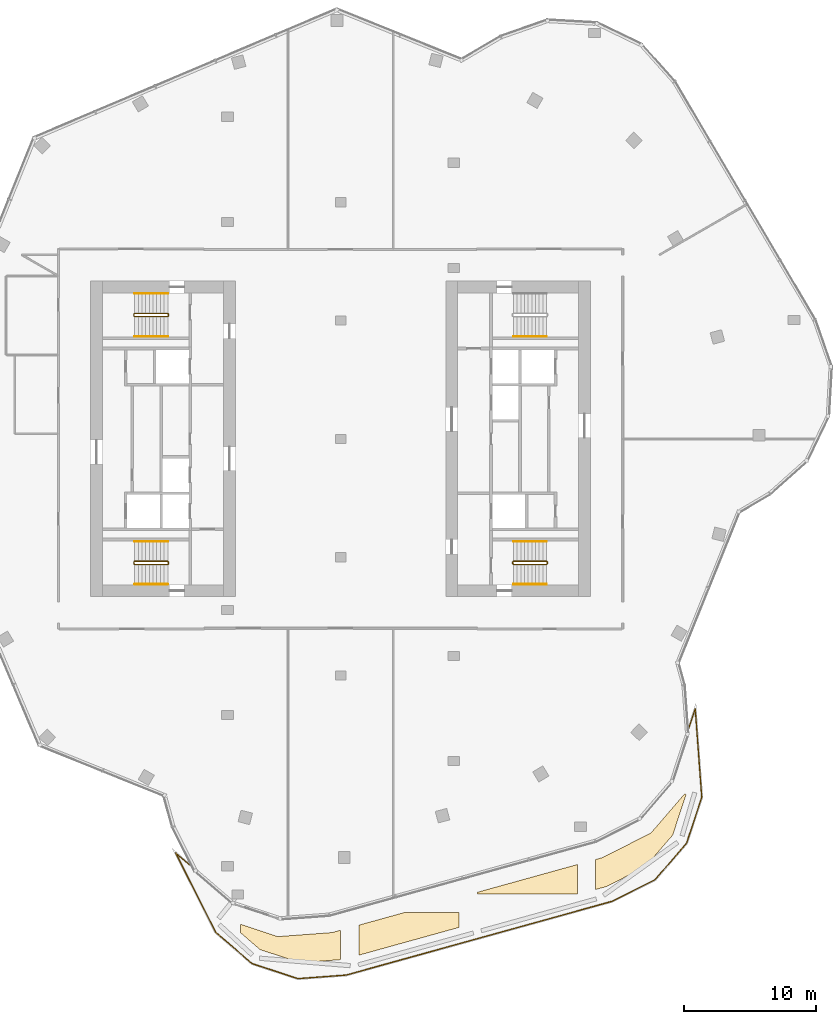
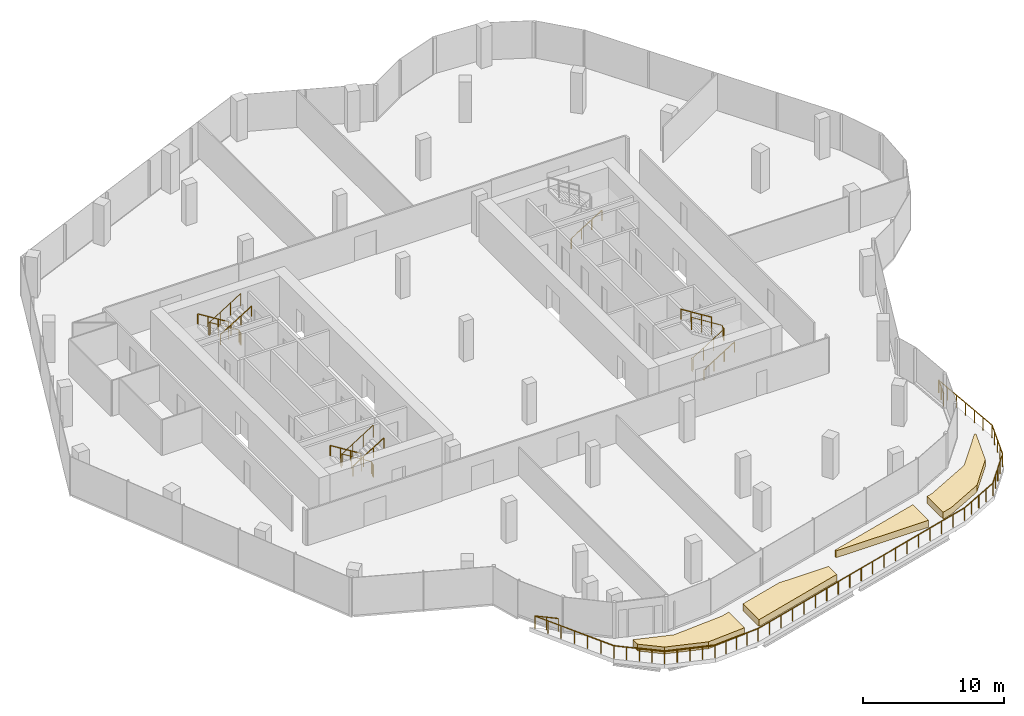
# One storey, part 15 of 16: 11 railings, 4 coverings.
"""IFC4 building model written with IfcOpenShell, lengths in metres."""

from ifc_helpers import new_model, si_unit, direction, frame, origin, origin_2d, place, context, subcontext, project, spatial, polyline, circle, outline, extrude, material, layer, layer_set, type_object, element, save


model = new_model("IFC4")

# Units and contexts
model_context = context("Model", 3, precision=1e-05, world=origin(), true_north=direction((0.0, 1.0)))
body_context = subcontext(model_context, "Body", "Model", "MODEL_VIEW")
ifc_project = project(units=[si_unit("LENGTHUNIT", "METRE"), si_unit("AREAUNIT", "SQUARE_METRE"), si_unit("VOLUMEUNIT", "CUBIC_METRE"), si_unit("PLANEANGLEUNIT", "RADIAN"), si_unit("MASSUNIT", "GRAM", prefix="KILO")], contexts=[model_context])

# Site, building, storey
site_placement = place(None, origin())
site = spatial("IfcSite", under=ifc_project, at=site_placement, CompositionType="ELEMENT")
building_placement = place(site_placement, origin())
building = spatial("IfcBuilding", under=site, at=building_placement, Name="Orlundy Tower", CompositionType="ELEMENT")
storey_placement = place(building_placement, frame((0.0, 0.0, 292.89990234375)))
storey = spatial("IfcBuildingStorey", under=building, at=storey_placement, Name="L78", CompositionType="ELEMENT", Elevation=292.89990234375)

# Coverings
ifc_material_1 = material(Name="Planted soil in precast concrete trough", Category="concrete")
ifc_layer = layer(ifc_material_1, 0.60009765625)
ifc_layer_set = layer_set([ifc_layer], Name="PLANTER box")
covering_type = type_object("IfcCoveringType", Name="PLANTER box", PredefinedType="USERDEFINED", material=ifc_layer_set)
covering_1_placement = place(storey_placement, origin())
element("IfcCovering", 1, at=covering_1_placement, inside=storey, type_object=covering_type, Name="PLANTER L78-00", ObjectType="PLANTER", PredefinedType="USERDEFINED", context=body_context, shape_type="SweptSolid", body=[
    extrude(outline(polyline([(-3.096923828125, -39.827880859375), (-6.1259765625, -38.8291015625), (-7.60009765625, -37.55908203125), (-7.60009765625, -36.9140625), (-4.781005859375, -37.843994140625), (-0.638916015625, -37.535888671875), (0.0, -37.35888671875), (0.0, -39.597900390625), (-3.096923828125, -39.827880859375)])), origin(), (0.0, 0.0, 1.0), 0.60009765625),
])
covering_2_placement = place(storey_placement, origin())
element("IfcCovering", 2, at=covering_2_placement, inside=storey, type_object=covering_type, Name="PLANTER L78-01", ObjectType="PLANTER", PredefinedType="USERDEFINED", context=body_context, shape_type="SweptSolid", body=[
    extrude(outline(polyline([(1.39990234375, -39.2529296875), (1.39990234375, -36.970947265625), (4.89892578125, -36.0), (9.0, -36.0), (9.0, -37.14501953125), (1.39990234375, -39.2529296875)])), origin(), (0.0, 0.0, 1.0), 0.60009765625),
])
covering_3_placement = place(storey_placement, origin())
element("IfcCovering", 3, at=covering_3_placement, inside=storey, type_object=covering_type, Name="PLANTER L78-02", ObjectType="PLANTER", PredefinedType="USERDEFINED", context=body_context, shape_type="SweptSolid", body=[
    extrude(outline(polyline([(18.0, -32.366943359375), (18.0, -34.60009765625), (10.39990234375, -34.60009765625), (10.39990234375, -34.47412109375), (18.0, -32.366943359375)])), origin(), (0.0, 0.0, 1.0), 0.60009765625),
])
covering_4_placement = place(storey_placement, origin())
element("IfcCovering", 4, at=covering_4_placement, inside=storey, type_object=covering_type, Name="PLANTER L78-03", ObjectType="PLANTER", PredefinedType="USERDEFINED", context=body_context, shape_type="SweptSolid", body=[
    extrude(outline(polyline([(25.25, -30.1279296875), (23.16796875, -32.5439453125), (20.202880859375, -34.0380859375), (19.39990234375, -34.260986328125), (19.39990234375, -31.97802734375), (19.881103515625, -31.844970703125), (23.590087890625, -29.97607421875), (26.154052734375, -27.0), (26.241943359375, -27.0), (26.2490234375, -27.09912109375), (25.25, -30.1279296875)])), origin(), (0.0, 0.0, 1.0), 0.60009765625),
])

# Railings
ifc_material_2 = material(Name="Steel balustrade", Category="steel")
railing_type_1 = type_object("IfcRailingType", Name="Stair Guard 1100", PredefinedType="GUARDRAIL", material=ifc_material_2)
railing_1_placement = place(storey_placement, frame((-13.090087890625, 9.5, 0.0)))
element("IfcRailing", 5, at=railing_1_placement, inside=storey, type_object=railing_type_1, Name="L78 ST-W1 stair guard 1", PredefinedType="GUARDRAIL", context=body_context, shape_type="SweptSolid", body=[
    extrude(circle(Radius=0.02392578125, at=origin_2d()), frame((0.0, 0.0, 1.076171875), z_axis=(0.0, -1.0, 0.0), x_axis=(1.0, 0.0, 0.0)), (0.0, 0.0, 1.0), 0.14990234375),
    extrude(circle(Radius=0.02392578125, at=origin_2d()), frame((0.0, -0.14990234375, 1.076171875), z_axis=(-0.18420542264, 0.739530593833, 0.647427882513), x_axis=(-0.970351222016, -0.241699205484, 0.0)), (0.0, 0.0, 1.0), 0.270263671875),
    extrude(circle(Radius=0.02392578125, at=origin_2d()), frame((-0.0498046875, 0.050048828125, 1.2509765625), z_axis=(-0.848007534815, 0.0, 0.529984170421), x_axis=(0.0, -1.0, 0.0)), (0.0, 0.0, 1.0), 2.9716796875),
    extrude(circle(Radius=0.02392578125, at=origin_2d()), frame((-2.56982421875, 0.050048828125, 2.826171875), z_axis=(-0.707106781187, -0.707106781187, 0.0), x_axis=(0.707106781187, -0.707106781187, 0.0)), (0.0, 0.0, 1.0), 0.07080078125),
    extrude(circle(Radius=0.02392578125, at=origin_2d()), frame((-2.619873046875, 0.0, 2.826171875), z_axis=(0.0, -1.0, 0.0), x_axis=(1.0, 0.0, 0.0)), (0.0, 0.0, 1.0), 0.14990234375),
    extrude(circle(Radius=0.02392578125, at=origin_2d()), frame((-2.619873046875, -0.14990234375, 2.826171875), z_axis=(0.265065253269, -0.265065253269, 0.927081885822), x_axis=(0.707106781187, 0.707106781187, 0.0)), (0.0, 0.0, 1.0), 0.188720703125),
    extrude(circle(Radius=0.02392578125, at=origin_2d()), frame((-2.56982421875, -0.199951171875, 3.0009765625), z_axis=(0.848007534815, 0.0, 0.529984170421), x_axis=(0.0, 1.0, 0.0)), (0.0, 0.0, 1.0), 2.9716796875),
    extrude(circle(Radius=0.02099609375, at=origin_2d()), origin(), (0.0, 0.0, 1.0), 1.052001953125),
    extrude(circle(Radius=0.02099609375, at=origin_2d()), frame((0.0, -0.14990234375, 0.0)), (0.0, 0.0, 1.0), 1.052001953125),
    extrude(circle(Radius=0.02099609375, at=origin_2d()), frame((-0.0498046875, 0.050048828125, 0.175048828125)), (0.0, 0.0, 1.0), 1.052001953125),
    extrude(circle(Radius=0.02099609375, at=origin_2d()), frame((-0.889892578125, 0.050048828125, 0.699951171875)), (0.0, 0.0, 1.0), 1.052001953125),
    extrude(circle(Radius=0.02099609375, at=origin_2d()), frame((-1.729736328125, 0.050048828125, 1.22509765625)), (0.0, 0.0, 1.0), 1.052001953125),
    extrude(circle(Radius=0.02099609375, at=origin_2d()), frame((-2.56982421875, 0.050048828125, 1.75)), (0.0, 0.0, 1.0), 1.052001953125),
    extrude(circle(Radius=0.02099609375, at=origin_2d()), frame((-2.619873046875, 0.0, 1.75)), (0.0, 0.0, 1.0), 1.052001953125),
    extrude(circle(Radius=0.02099609375, at=origin_2d()), frame((-2.619873046875, -0.14990234375, 1.75)), (0.0, 0.0, 1.0), 1.052001953125),
    extrude(circle(Radius=0.02099609375, at=origin_2d()), frame((-2.56982421875, -0.199951171875, 1.925048828125)), (0.0, 0.0, 1.0), 1.052001953125),
    extrude(circle(Radius=0.02099609375, at=origin_2d()), frame((-1.729736328125, -0.199951171875, 2.449951171875)), (0.0, 0.0, 1.0), 1.052001953125),
    extrude(circle(Radius=0.02099609375, at=origin_2d()), frame((-0.889892578125, -0.199951171875, 2.97509765625)), (0.0, 0.0, 1.0), 1.052001953125),
    extrude(circle(Radius=0.02099609375, at=origin_2d()), frame((-0.0498046875, -0.199951171875, 3.5)), (0.0, 0.0, 1.0), 1.052001953125),
])
railing_2_placement = place(storey_placement, frame((-13.090087890625, -9.35009765625, 0.0)))
element("IfcRailing", 6, at=railing_2_placement, inside=storey, type_object=railing_type_1, Name="L78 ST-W2 stair guard 1", PredefinedType="GUARDRAIL", context=body_context, shape_type="SweptSolid", body=[
    extrude(circle(Radius=0.02392578125, at=origin_2d()), frame((0.0, 0.0, 1.076171875), z_axis=(0.0, -1.0, 0.0), x_axis=(1.0, 0.0, 0.0)), (0.0, 0.0, 1.0), 0.14990234375),
    extrude(circle(Radius=0.02392578125, at=origin_2d()), frame((0.0, -0.14990234375, 1.076171875), z_axis=(-0.18420542264, 0.739530593833, 0.647427882513), x_axis=(-0.970351222016, -0.241699205484, 0.0)), (0.0, 0.0, 1.0), 0.270263671875),
    extrude(circle(Radius=0.02392578125, at=origin_2d()), frame((-0.0498046875, 0.050048828125, 1.2509765625), z_axis=(-0.848007534815, 0.0, 0.529984170421), x_axis=(0.0, -1.0, 0.0)), (0.0, 0.0, 1.0), 2.9716796875),
    extrude(circle(Radius=0.02392578125, at=origin_2d()), frame((-2.56982421875, 0.050048828125, 2.826171875), z_axis=(-0.707106781187, -0.707106781187, 0.0), x_axis=(0.707106781187, -0.707106781187, 0.0)), (0.0, 0.0, 1.0), 0.07080078125),
    extrude(circle(Radius=0.02392578125, at=origin_2d()), frame((-2.619873046875, 0.0, 2.826171875), z_axis=(0.0, -1.0, 0.0), x_axis=(1.0, 0.0, 0.0)), (0.0, 0.0, 1.0), 0.14990234375),
    extrude(circle(Radius=0.02392578125, at=origin_2d()), frame((-2.619873046875, -0.14990234375, 2.826171875), z_axis=(0.265065253269, -0.265065253269, 0.927081885822), x_axis=(0.707106781187, 0.707106781187, 0.0)), (0.0, 0.0, 1.0), 0.188720703125),
    extrude(circle(Radius=0.02392578125, at=origin_2d()), frame((-2.56982421875, -0.199951171875, 3.0009765625), z_axis=(0.848007534815, 0.0, 0.529984170421), x_axis=(0.0, 1.0, 0.0)), (0.0, 0.0, 1.0), 2.9716796875),
    extrude(circle(Radius=0.02099609375, at=origin_2d()), origin(), (0.0, 0.0, 1.0), 1.052001953125),
    extrude(circle(Radius=0.02099609375, at=origin_2d()), frame((0.0, -0.14990234375, 0.0)), (0.0, 0.0, 1.0), 1.052001953125),
    extrude(circle(Radius=0.02099609375, at=origin_2d()), frame((-0.0498046875, 0.050048828125, 0.175048828125)), (0.0, 0.0, 1.0), 1.052001953125),
    extrude(circle(Radius=0.02099609375, at=origin_2d()), frame((-0.889892578125, 0.050048828125, 0.699951171875)), (0.0, 0.0, 1.0), 1.052001953125),
    extrude(circle(Radius=0.02099609375, at=origin_2d()), frame((-1.729736328125, 0.050048828125, 1.22509765625)), (0.0, 0.0, 1.0), 1.052001953125),
    extrude(circle(Radius=0.02099609375, at=origin_2d()), frame((-2.56982421875, 0.050048828125, 1.75)), (0.0, 0.0, 1.0), 1.052001953125),
    extrude(circle(Radius=0.02099609375, at=origin_2d()), frame((-2.619873046875, 0.0, 1.75)), (0.0, 0.0, 1.0), 1.052001953125),
    extrude(circle(Radius=0.02099609375, at=origin_2d()), frame((-2.619873046875, -0.14990234375, 1.75)), (0.0, 0.0, 1.0), 1.052001953125),
    extrude(circle(Radius=0.02099609375, at=origin_2d()), frame((-2.56982421875, -0.199951171875, 1.925048828125)), (0.0, 0.0, 1.0), 1.052001953125),
    extrude(circle(Radius=0.02099609375, at=origin_2d()), frame((-1.729736328125, -0.199951171875, 2.449951171875)), (0.0, 0.0, 1.0), 1.052001953125),
    extrude(circle(Radius=0.02099609375, at=origin_2d()), frame((-0.889892578125, -0.199951171875, 2.97509765625)), (0.0, 0.0, 1.0), 1.052001953125),
    extrude(circle(Radius=0.02099609375, at=origin_2d()), frame((-0.0498046875, -0.199951171875, 3.5)), (0.0, 0.0, 1.0), 1.052001953125),
])
railing_3_placement = place(storey_placement, frame((13.090087890625, -9.5, 0.0)))
element("IfcRailing", 7, at=railing_3_placement, inside=storey, type_object=railing_type_1, Name="L78 ST-E1 stair guard 1", PredefinedType="GUARDRAIL", context=body_context, shape_type="SweptSolid", body=[
    extrude(circle(Radius=0.02392578125, at=origin_2d()), frame((0.0, 0.0, 1.076171875), z_axis=(0.0, 1.0, 0.0), x_axis=(-1.0, 0.0, 0.0)), (0.0, 0.0, 1.0), 0.14990234375),
    extrude(circle(Radius=0.02392578125, at=origin_2d()), frame((0.0, 0.14990234375, 1.076171875), z_axis=(0.18420542264, -0.739530593833, 0.647427882513), x_axis=(0.970351222016, 0.241699205484, 0.0)), (0.0, 0.0, 1.0), 0.270263671875),
    extrude(circle(Radius=0.02392578125, at=origin_2d()), frame((0.0498046875, -0.050048828125, 1.2509765625), z_axis=(0.848007534815, 0.0, 0.529984170421), x_axis=(0.0, 1.0, 0.0)), (0.0, 0.0, 1.0), 2.9716796875),
    extrude(circle(Radius=0.02392578125, at=origin_2d()), frame((2.56982421875, -0.050048828125, 2.826171875), z_axis=(0.707106781187, 0.707106781187, 0.0), x_axis=(-0.707106781187, 0.707106781187, 0.0)), (0.0, 0.0, 1.0), 0.07080078125),
    extrude(circle(Radius=0.02392578125, at=origin_2d()), frame((2.619873046875, 0.0, 2.826171875), z_axis=(0.0, 1.0, 0.0), x_axis=(-1.0, 0.0, 0.0)), (0.0, 0.0, 1.0), 0.14990234375),
    extrude(circle(Radius=0.02392578125, at=origin_2d()), frame((2.619873046875, 0.14990234375, 2.826171875), z_axis=(-0.265065253269, 0.265065253269, 0.927081885822), x_axis=(-0.707106781187, -0.707106781187, 0.0)), (0.0, 0.0, 1.0), 0.188720703125),
    extrude(circle(Radius=0.02392578125, at=origin_2d()), frame((2.56982421875, 0.199951171875, 3.0009765625), z_axis=(-0.848007534815, 0.0, 0.529984170421), x_axis=(0.0, -1.0, 0.0)), (0.0, 0.0, 1.0), 2.9716796875),
    extrude(circle(Radius=0.02099609375, at=origin_2d()), origin(), (0.0, 0.0, 1.0), 1.052001953125),
    extrude(circle(Radius=0.02099609375, at=origin_2d()), frame((0.0, 0.14990234375, 0.0)), (0.0, 0.0, 1.0), 1.052001953125),
    extrude(circle(Radius=0.02099609375, at=origin_2d()), frame((0.0498046875, -0.050048828125, 0.175048828125)), (0.0, 0.0, 1.0), 1.052001953125),
    extrude(circle(Radius=0.02099609375, at=origin_2d()), frame((0.889892578125, -0.050048828125, 0.699951171875)), (0.0, 0.0, 1.0), 1.052001953125),
    extrude(circle(Radius=0.02099609375, at=origin_2d()), frame((1.729736328125, -0.050048828125, 1.22509765625)), (0.0, 0.0, 1.0), 1.052001953125),
    extrude(circle(Radius=0.02099609375, at=origin_2d()), frame((2.56982421875, -0.050048828125, 1.75)), (0.0, 0.0, 1.0), 1.052001953125),
    extrude(circle(Radius=0.02099609375, at=origin_2d()), frame((2.619873046875, 0.0, 1.75)), (0.0, 0.0, 1.0), 1.052001953125),
    extrude(circle(Radius=0.02099609375, at=origin_2d()), frame((2.619873046875, 0.14990234375, 1.75)), (0.0, 0.0, 1.0), 1.052001953125),
    extrude(circle(Radius=0.02099609375, at=origin_2d()), frame((2.56982421875, 0.199951171875, 1.925048828125)), (0.0, 0.0, 1.0), 1.052001953125),
    extrude(circle(Radius=0.02099609375, at=origin_2d()), frame((1.729736328125, 0.199951171875, 2.449951171875)), (0.0, 0.0, 1.0), 1.052001953125),
    extrude(circle(Radius=0.02099609375, at=origin_2d()), frame((0.889892578125, 0.199951171875, 2.97509765625)), (0.0, 0.0, 1.0), 1.052001953125),
    extrude(circle(Radius=0.02099609375, at=origin_2d()), frame((0.0498046875, 0.199951171875, 3.5)), (0.0, 0.0, 1.0), 1.052001953125),
])
ifc_material_3 = material(Name="Steel handrail", Category="steel")
railing_type_2 = type_object("IfcRailingType", Name="Stair Handrail 900", PredefinedType="HANDRAIL", material=ifc_material_3)
railing_4_placement = place(storey_placement, frame((-13.139892578125, 11.050048828125, 0.175048828125)))
element("IfcRailing", 8, at=railing_4_placement, inside=storey, type_object=railing_type_2, Name="L78 ST-W1 stair handrail 1", PredefinedType="HANDRAIL", context=body_context, shape_type="SweptSolid", body=[
    extrude(circle(Radius=0.02392578125, at=origin_2d()), frame((0.0, 0.0, 0.8759765625), z_axis=(-0.848007534815, 0.0, 0.529984170421), x_axis=(0.0, -1.0, 0.0)), (0.0, 0.0, 1.0), 2.9716796875),
    extrude(circle(Radius=0.02099609375, at=origin_2d()), origin(), (0.0, 0.0, 1.0), 0.851806640625),
    extrude(circle(Radius=0.02099609375, at=origin_2d()), frame((-0.840087890625, 0.0, 0.52490234375)), (0.0, 0.0, 1.0), 0.851806640625),
    extrude(circle(Radius=0.02099609375, at=origin_2d()), frame((-1.679931640625, 0.0, 1.050048828125)), (0.0, 0.0, 1.0), 0.851806640625),
    extrude(circle(Radius=0.02099609375, at=origin_2d()), frame((-2.52001953125, 0.0, 1.574951171875)), (0.0, 0.0, 1.0), 0.851806640625),
])
railing_5_placement = place(storey_placement, frame((-15.659912109375, 7.800048828125, 1.925048828125)))
element("IfcRailing", 9, at=railing_5_placement, inside=storey, type_object=railing_type_2, Name="L78 ST-W1 stair handrail 2", PredefinedType="HANDRAIL", context=body_context, shape_type="SweptSolid", body=[
    extrude(circle(Radius=0.02392578125, at=origin_2d()), frame((0.0, 0.0, 0.8759765625), z_axis=(0.848007534815, 0.0, 0.529984170421), x_axis=(0.0, 1.0, 0.0)), (0.0, 0.0, 1.0), 2.9716796875),
    extrude(circle(Radius=0.02099609375, at=origin_2d()), origin(), (0.0, 0.0, 1.0), 0.851806640625),
    extrude(circle(Radius=0.02099609375, at=origin_2d()), frame((0.840087890625, 0.0, 0.52490234375)), (0.0, 0.0, 1.0), 0.851806640625),
    extrude(circle(Radius=0.02099609375, at=origin_2d()), frame((1.679931640625, 0.0, 1.050048828125)), (0.0, 0.0, 1.0), 0.851806640625),
    extrude(circle(Radius=0.02099609375, at=origin_2d()), frame((2.52001953125, 0.0, 1.574951171875)), (0.0, 0.0, 1.0), 0.851806640625),
])
railing_6_placement = place(storey_placement, frame((-13.139892578125, -7.800048828125, 0.175048828125)))
element("IfcRailing", 10, at=railing_6_placement, inside=storey, type_object=railing_type_2, Name="L78 ST-W2 stair handrail 1", PredefinedType="HANDRAIL", context=body_context, shape_type="SweptSolid", body=[
    extrude(circle(Radius=0.02392578125, at=origin_2d()), frame((0.0, 0.0, 0.8759765625), z_axis=(-0.848007534815, 0.0, 0.529984170421), x_axis=(0.0, -1.0, 0.0)), (0.0, 0.0, 1.0), 2.9716796875),
    extrude(circle(Radius=0.02099609375, at=origin_2d()), origin(), (0.0, 0.0, 1.0), 0.851806640625),
    extrude(circle(Radius=0.02099609375, at=origin_2d()), frame((-0.840087890625, 0.0, 0.52490234375)), (0.0, 0.0, 1.0), 0.851806640625),
    extrude(circle(Radius=0.02099609375, at=origin_2d()), frame((-1.679931640625, 0.0, 1.050048828125)), (0.0, 0.0, 1.0), 0.851806640625),
    extrude(circle(Radius=0.02099609375, at=origin_2d()), frame((-2.52001953125, 0.0, 1.574951171875)), (0.0, 0.0, 1.0), 0.851806640625),
])
for number, where, name in (
    (11, (-15.659912109375, -11.050048828125, 1.925048828125), "L78 ST-W2 stair handrail 2"),
    (12, (13.139892578125, -11.050048828125, 0.175048828125), "L78 ST-E1 stair handrail 1"),
):
    element("IfcRailing", number, at=place(storey_placement, frame(where)), inside=storey, type_object=railing_type_2, Name=name, PredefinedType="HANDRAIL", context=body_context, shape_type="SweptSolid", body=[
        extrude(circle(Radius=0.02392578125, at=origin_2d()), frame((0.0, 0.0, 0.8759765625), z_axis=(0.848007534815, 0.0, 0.529984170421), x_axis=(0.0, 1.0, 0.0)), (0.0, 0.0, 1.0), 2.9716796875),
        extrude(circle(Radius=0.02099609375, at=origin_2d()), origin(), (0.0, 0.0, 1.0), 0.851806640625),
        extrude(circle(Radius=0.02099609375, at=origin_2d()), frame((0.840087890625, 0.0, 0.52490234375)), (0.0, 0.0, 1.0), 0.851806640625),
        extrude(circle(Radius=0.02099609375, at=origin_2d()), frame((1.679931640625, 0.0, 1.050048828125)), (0.0, 0.0, 1.0), 0.851806640625),
        extrude(circle(Radius=0.02099609375, at=origin_2d()), frame((2.52001953125, 0.0, 1.574951171875)), (0.0, 0.0, 1.0), 0.851806640625),
    ])
railing_7_placement = place(storey_placement, frame((15.659912109375, -7.800048828125, 1.925048828125)))
element("IfcRailing", 13, at=railing_7_placement, inside=storey, type_object=railing_type_2, Name="L78 ST-E1 stair handrail 2", PredefinedType="HANDRAIL", context=body_context, shape_type="SweptSolid", body=[
    extrude(circle(Radius=0.02392578125, at=origin_2d()), frame((0.0, 0.0, 0.8759765625), z_axis=(-0.848007534815, 0.0, 0.529984170421), x_axis=(0.0, -1.0, 0.0)), (0.0, 0.0, 1.0), 2.9716796875),
    extrude(circle(Radius=0.02099609375, at=origin_2d()), origin(), (0.0, 0.0, 1.0), 0.851806640625),
    extrude(circle(Radius=0.02099609375, at=origin_2d()), frame((-0.840087890625, 0.0, 0.52490234375)), (0.0, 0.0, 1.0), 0.851806640625),
    extrude(circle(Radius=0.02099609375, at=origin_2d()), frame((-1.679931640625, 0.0, 1.050048828125)), (0.0, 0.0, 1.0), 0.851806640625),
    extrude(circle(Radius=0.02099609375, at=origin_2d()), frame((-2.52001953125, 0.0, 1.574951171875)), (0.0, 0.0, 1.0), 0.851806640625),
])
railing_8_placement = place(storey_placement, frame((13.139892578125, 7.800048828125, 0.175048828125)))
element("IfcRailing", 14, at=railing_8_placement, inside=storey, type_object=railing_type_2, Name="L78 ST-E2 stair handrail 1", PredefinedType="HANDRAIL", context=body_context, shape_type="SweptSolid", body=[
    extrude(circle(Radius=0.02392578125, at=origin_2d()), frame((0.0, 0.0, 0.8759765625), z_axis=(0.848007534815, 0.0, 0.529984170421), x_axis=(0.0, 1.0, 0.0)), (0.0, 0.0, 1.0), 2.9716796875),
    extrude(circle(Radius=0.02099609375, at=origin_2d()), origin(), (0.0, 0.0, 1.0), 0.851806640625),
    extrude(circle(Radius=0.02099609375, at=origin_2d()), frame((0.840087890625, 0.0, 0.52490234375)), (0.0, 0.0, 1.0), 0.851806640625),
    extrude(circle(Radius=0.02099609375, at=origin_2d()), frame((1.679931640625, 0.0, 1.050048828125)), (0.0, 0.0, 1.0), 0.851806640625),
    extrude(circle(Radius=0.02099609375, at=origin_2d()), frame((2.52001953125, 0.0, 1.574951171875)), (0.0, 0.0, 1.0), 0.851806640625),
])
ifc_material_4 = material(Name="Stainless steel bronze finish", Category="steel")
railing_type_3 = type_object("IfcRailingType", Name="TG1 terrace guard", PredefinedType="GUARDRAIL", material=ifc_material_4)
railing_9_placement = place(storey_placement, frame((26.427978515625, -22.15869140625, 0.0)))
element("IfcRailing", 15, at=railing_9_placement, inside=storey, type_object=railing_type_3, Name="Guard TG-L78-00", PredefinedType="GUARDRAIL", context=body_context, shape_type="SweptSolid", body=[
    extrude(circle(Radius=0.02490234375, at=origin_2d()), frame((0.0, 0.0, 1.09521484375), z_axis=(0.313368478882, 0.949631610912, 0.0), x_axis=(-0.949631610912, 0.313368478882, 0.0)), (0.0, 0.0, 1.0), 1.717041015625),
    extrude(circle(Radius=0.02490234375, at=origin_2d()), frame((0.5380859375, 1.630615234375, 1.09521484375), z_axis=(0.073720897486, -0.997278912478, 0.0), x_axis=(0.997278912478, 0.073720897486, 0.0)), (0.0, 0.0, 1.0), 6.7392578125),
    extrude(circle(Radius=0.02490234375, at=origin_2d()), frame((1.034912109375, -5.09033203125, 1.09521484375), z_axis=(-0.313109613571, -0.94971699463, 0.0), x_axis=(0.94971699463, -0.313109613571, 0.0)), (0.0, 0.0, 1.0), 3.666259765625),
    extrude(circle(Radius=0.02490234375, at=origin_2d()), frame((-0.113037109375, -8.572265625, 1.09521484375), z_axis=(-0.652806603913, -0.757524612067, 0.0), x_axis=(0.757524612067, -0.652806603913, 0.0)), (0.0, 0.0, 1.0), 3.667236328125),
    extrude(circle(Radius=0.02490234375, at=origin_2d()), frame((-2.507080078125, -11.350341796875, 1.09521484375), z_axis=(-0.893054898997, -0.449947716271, 0.0), x_axis=(0.449947716271, -0.893054898997, 0.0)), (0.0, 0.0, 1.0), 3.676025390625),
    extrude(circle(Radius=0.02490234375, at=origin_2d()), frame((-5.7900390625, -13.00439453125, 1.09521484375), z_axis=(-0.963627361073, -0.267249525709, 0.0), x_axis=(0.267249525709, -0.963627361073, 0.0)), (0.0, 0.0, 1.0), 20.980224609375),
    extrude(circle(Radius=0.02490234375, at=origin_2d()), frame((-26.007080078125, -18.611328125, 1.09521484375), z_axis=(-0.997242704263, -0.07420908835, 0.0), x_axis=(0.07420908835, -0.997242704263, 0.0)), (0.0, 0.0, 1.0), 3.67822265625),
    extrude(circle(Radius=0.02490234375, at=origin_2d()), frame((-29.675048828125, -18.88427734375, 1.09521484375), z_axis=(-0.949637763706, 0.313349832843, 0.0), x_axis=(-0.313349832843, -0.949637763706, 0.0)), (0.0, 0.0, 1.0), 3.66650390625),
    extrude(circle(Radius=0.02490234375, at=origin_2d()), frame((-33.156982421875, -17.7353515625, 1.09521484375), z_axis=(-0.75765630382, 0.652653756046, 0.0), x_axis=(-0.652653756046, -0.75765630382, 0.0)), (0.0, 0.0, 1.0), 3.666748046875),
    extrude(circle(Radius=0.02490234375, at=origin_2d()), frame((-35.93505859375, -15.34228515625, 1.09521484375), z_axis=(-0.449952322119, 0.893052578418, 0.0), x_axis=(-0.893052578418, -0.449952322119, 0.0)), (0.0, 0.0, 1.0), 6.734130859375),
    extrude(circle(Radius=0.02490234375, at=origin_2d()), frame((-38.965087890625, -9.328369140625, 1.09521484375), z_axis=(0.75763150189, -0.652682547142, 0.0), x_axis=(0.652682547142, 0.75763150189, 0.0)), (0.0, 0.0, 1.0), 1.709716796875),
    extrude(circle(Radius=0.02001953125, at=origin_2d()), origin(), (0.0, 0.0, 1.0), 1.070068359375),
    extrude(circle(Radius=0.02001953125, at=origin_2d()), frame((0.26904296875, 0.8154296875, 0.0)), (0.0, 0.0, 1.0), 1.070068359375),
    extrude(circle(Radius=0.02001953125, at=origin_2d()), frame((0.5380859375, 1.630615234375, 0.0)), (0.0, 0.0, 1.0), 1.070068359375),
    extrude(circle(Radius=0.02001953125, at=origin_2d()), frame((0.620849609375, 0.510498046875, 0.0)), (0.0, 0.0, 1.0), 1.070068359375),
    extrude(circle(Radius=0.02001953125, at=origin_2d()), frame((0.70361328125, -0.609619140625, 0.0)), (0.0, 0.0, 1.0), 1.070068359375),
    extrude(circle(Radius=0.02001953125, at=origin_2d()), frame((0.78662109375, -1.72998046875, 0.0)), (0.0, 0.0, 1.0), 1.070068359375),
    extrude(circle(Radius=0.02001953125, at=origin_2d()), frame((0.869384765625, -2.85009765625, 0.0)), (0.0, 0.0, 1.0), 1.070068359375),
    extrude(circle(Radius=0.02001953125, at=origin_2d()), frame((0.9521484375, -3.97021484375, 0.0)), (0.0, 0.0, 1.0), 1.070068359375),
    extrude(circle(Radius=0.02001953125, at=origin_2d()), frame((1.034912109375, -5.09033203125, 0.0)), (0.0, 0.0, 1.0), 1.070068359375),
    extrude(circle(Radius=0.02001953125, at=origin_2d()), frame((0.748046875, -5.9609375, 0.0)), (0.0, 0.0, 1.0), 1.070068359375),
    extrude(circle(Radius=0.02001953125, at=origin_2d()), frame((0.4609375, -6.831298828125, 0.0)), (0.0, 0.0, 1.0), 1.070068359375),
    extrude(circle(Radius=0.02001953125, at=origin_2d()), frame((0.173828125, -7.70166015625, 0.0)), (0.0, 0.0, 1.0), 1.070068359375),
    extrude(circle(Radius=0.02001953125, at=origin_2d()), frame((-0.113037109375, -8.572265625, 0.0)), (0.0, 0.0, 1.0), 1.070068359375),
    extrude(circle(Radius=0.02001953125, at=origin_2d()), frame((-0.71142578125, -9.266845703125, 0.0)), (0.0, 0.0, 1.0), 1.070068359375),
    extrude(circle(Radius=0.02001953125, at=origin_2d()), frame((-1.31005859375, -9.96142578125, 0.0)), (0.0, 0.0, 1.0), 1.070068359375),
    extrude(circle(Radius=0.02001953125, at=origin_2d()), frame((-1.90869140625, -10.65576171875, 0.0)), (0.0, 0.0, 1.0), 1.070068359375),
    extrude(circle(Radius=0.02001953125, at=origin_2d()), frame((-2.507080078125, -11.350341796875, 0.0)), (0.0, 0.0, 1.0), 1.070068359375),
    extrude(circle(Radius=0.02001953125, at=origin_2d()), frame((-3.327880859375, -11.763916015625, 0.0)), (0.0, 0.0, 1.0), 1.070068359375),
    extrude(circle(Radius=0.02001953125, at=origin_2d()), frame((-4.1484375, -12.17724609375, 0.0)), (0.0, 0.0, 1.0), 1.070068359375),
    extrude(circle(Radius=0.02001953125, at=origin_2d()), frame((-4.96923828125, -12.5908203125, 0.0)), (0.0, 0.0, 1.0), 1.070068359375),
    extrude(circle(Radius=0.02001953125, at=origin_2d()), frame((-5.7900390625, -13.00439453125, 0.0)), (0.0, 0.0, 1.0), 1.070068359375),
    extrude(circle(Radius=0.02001953125, at=origin_2d()), frame((-6.9130859375, -13.31591796875, 0.0)), (0.0, 0.0, 1.0), 1.070068359375),
    extrude(circle(Radius=0.02001953125, at=origin_2d()), frame((-8.036376953125, -13.62744140625, 0.0)), (0.0, 0.0, 1.0), 1.070068359375),
    extrude(circle(Radius=0.02001953125, at=origin_2d()), frame((-9.15966796875, -13.93896484375, 0.0)), (0.0, 0.0, 1.0), 1.070068359375),
    extrude(circle(Radius=0.02001953125, at=origin_2d()), frame((-10.28271484375, -14.25048828125, 0.0)), (0.0, 0.0, 1.0), 1.070068359375),
    extrude(circle(Radius=0.02001953125, at=origin_2d()), frame((-11.40576171875, -14.561767578125, 0.0)), (0.0, 0.0, 1.0), 1.070068359375),
    extrude(circle(Radius=0.02001953125, at=origin_2d()), frame((-12.529052734375, -14.873291015625, 0.0)), (0.0, 0.0, 1.0), 1.070068359375),
    extrude(circle(Radius=0.02001953125, at=origin_2d()), frame((-13.65234375, -15.184814453125, 0.0)), (0.0, 0.0, 1.0), 1.070068359375),
    extrude(circle(Radius=0.02001953125, at=origin_2d()), frame((-14.775390625, -15.496337890625, 0.0)), (0.0, 0.0, 1.0), 1.070068359375),
    extrude(circle(Radius=0.02001953125, at=origin_2d()), frame((-15.8984375, -15.807861328125, 0.0)), (0.0, 0.0, 1.0), 1.070068359375),
    extrude(circle(Radius=0.02001953125, at=origin_2d()), frame((-17.021728515625, -16.119384765625, 0.0)), (0.0, 0.0, 1.0), 1.070068359375),
    extrude(circle(Radius=0.02001953125, at=origin_2d()), frame((-18.14501953125, -16.430908203125, 0.0)), (0.0, 0.0, 1.0), 1.070068359375),
    extrude(circle(Radius=0.02001953125, at=origin_2d()), frame((-19.26806640625, -16.742431640625, 0.0)), (0.0, 0.0, 1.0), 1.070068359375),
    extrude(circle(Radius=0.02001953125, at=origin_2d()), frame((-20.39111328125, -17.053955078125, 0.0)), (0.0, 0.0, 1.0), 1.070068359375),
    extrude(circle(Radius=0.02001953125, at=origin_2d()), frame((-21.514404296875, -17.365234375, 0.0)), (0.0, 0.0, 1.0), 1.070068359375),
    extrude(circle(Radius=0.02001953125, at=origin_2d()), frame((-22.6376953125, -17.6767578125, 0.0)), (0.0, 0.0, 1.0), 1.070068359375),
    extrude(circle(Radius=0.02001953125, at=origin_2d()), frame((-23.7607421875, -17.98828125, 0.0)), (0.0, 0.0, 1.0), 1.070068359375),
    extrude(circle(Radius=0.02001953125, at=origin_2d()), frame((-24.8837890625, -18.2998046875, 0.0)), (0.0, 0.0, 1.0), 1.070068359375),
    extrude(circle(Radius=0.02001953125, at=origin_2d()), frame((-26.007080078125, -18.611328125, 0.0)), (0.0, 0.0, 1.0), 1.070068359375),
    extrude(circle(Radius=0.02001953125, at=origin_2d()), frame((-26.924072265625, -18.6796875, 0.0)), (0.0, 0.0, 1.0), 1.070068359375),
    extrude(circle(Radius=0.02001953125, at=origin_2d()), frame((-27.841064453125, -18.747802734375, 0.0)), (0.0, 0.0, 1.0), 1.070068359375),
    extrude(circle(Radius=0.02001953125, at=origin_2d()), frame((-28.758056640625, -18.81591796875, 0.0)), (0.0, 0.0, 1.0), 1.070068359375),
    extrude(circle(Radius=0.02001953125, at=origin_2d()), frame((-29.675048828125, -18.88427734375, 0.0)), (0.0, 0.0, 1.0), 1.070068359375),
    extrude(circle(Radius=0.02001953125, at=origin_2d()), frame((-30.54541015625, -18.59716796875, 0.0)), (0.0, 0.0, 1.0), 1.070068359375),
    extrude(circle(Radius=0.02001953125, at=origin_2d()), frame((-31.416015625, -18.309814453125, 0.0)), (0.0, 0.0, 1.0), 1.070068359375),
    extrude(circle(Radius=0.02001953125, at=origin_2d()), frame((-32.28662109375, -18.0224609375, 0.0)), (0.0, 0.0, 1.0), 1.070068359375),
    extrude(circle(Radius=0.02001953125, at=origin_2d()), frame((-33.156982421875, -17.7353515625, 0.0)), (0.0, 0.0, 1.0), 1.070068359375),
    extrude(circle(Radius=0.02001953125, at=origin_2d()), frame((-33.8515625, -17.13720703125, 0.0)), (0.0, 0.0, 1.0), 1.070068359375),
    extrude(circle(Radius=0.02001953125, at=origin_2d()), frame((-34.5458984375, -16.538818359375, 0.0)), (0.0, 0.0, 1.0), 1.070068359375),
    extrude(circle(Radius=0.02001953125, at=origin_2d()), frame((-35.240478515625, -15.9404296875, 0.0)), (0.0, 0.0, 1.0), 1.070068359375),
    extrude(circle(Radius=0.02001953125, at=origin_2d()), frame((-35.93505859375, -15.34228515625, 0.0)), (0.0, 0.0, 1.0), 1.070068359375),
    extrude(circle(Radius=0.02001953125, at=origin_2d()), frame((-36.43994140625, -14.33984375, 0.0)), (0.0, 0.0, 1.0), 1.070068359375),
    extrude(circle(Radius=0.02001953125, at=origin_2d()), frame((-36.945068359375, -13.337646484375, 0.0)), (0.0, 0.0, 1.0), 1.070068359375),
    extrude(circle(Radius=0.02001953125, at=origin_2d()), frame((-37.4501953125, -12.33544921875, 0.0)), (0.0, 0.0, 1.0), 1.070068359375),
    extrude(circle(Radius=0.02001953125, at=origin_2d()), frame((-37.955078125, -11.3330078125, 0.0)), (0.0, 0.0, 1.0), 1.070068359375),
    extrude(circle(Radius=0.02001953125, at=origin_2d()), frame((-38.4599609375, -10.33056640625, 0.0)), (0.0, 0.0, 1.0), 1.070068359375),
    extrude(circle(Radius=0.02001953125, at=origin_2d()), frame((-38.965087890625, -9.328369140625, 0.0)), (0.0, 0.0, 1.0), 1.070068359375),
    extrude(circle(Radius=0.02001953125, at=origin_2d()), frame((-38.3173828125, -9.88623046875, 0.0)), (0.0, 0.0, 1.0), 1.070068359375),
    extrude(circle(Radius=0.02001953125, at=origin_2d()), frame((-37.669677734375, -10.4443359375, 0.0)), (0.0, 0.0, 1.0), 1.070068359375),
])

save(model, "model.ifc")
